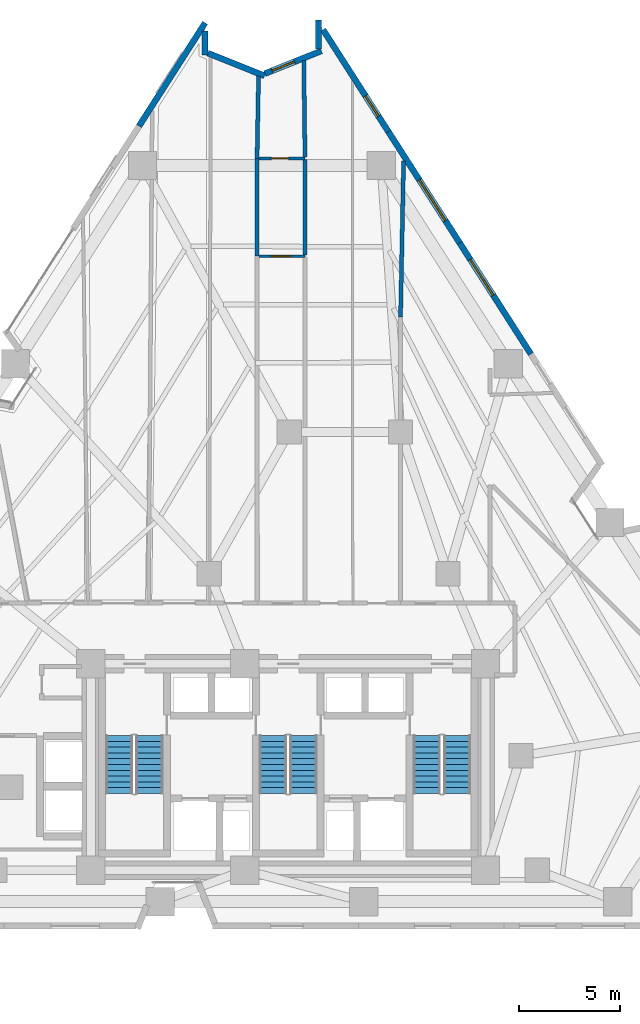
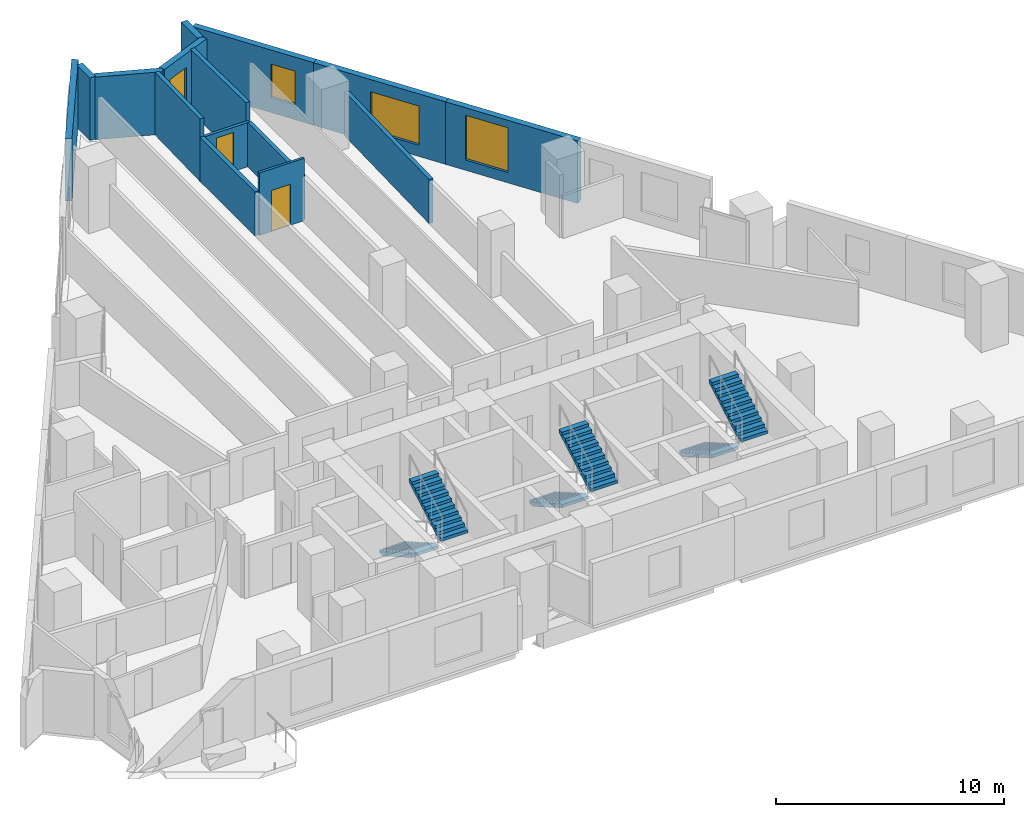
# One storey, part 11 of 15: 15 walls, 6 stair flights, 4 windows, 2 doors, 6 openings, 3 elements without a shape of their own.
"""IFC4 building model written with IfcOpenShell, lengths in metres."""

from ifc_helpers import new_model, si_unit, direction, frame, frame_2d, origin, place, context, subcontext, project, spatial, polyline, rectangle, outline, extrude, material, layer, layer_set, type_object, element, fill, aggregate, save


model = new_model("IFC4")

# Units and contexts
model_context = context("Model", 3, precision=1e-05, world=origin(), true_north=direction((0.0, 1.0)))
body_context = subcontext(model_context, "Body", "Model", "MODEL_VIEW")
ifc_project = project(units=[si_unit("LENGTHUNIT", "METRE"), si_unit("AREAUNIT", "SQUARE_METRE"), si_unit("VOLUMEUNIT", "CUBIC_METRE"), si_unit("PLANEANGLEUNIT", "RADIAN"), si_unit("MASSUNIT", "GRAM", prefix="KILO")], contexts=[model_context])

# Site, building, storey
site_placement = place(None, origin())
site = spatial("IfcSite", under=ifc_project, at=site_placement, CompositionType="ELEMENT")
building_placement = place(site_placement, origin())
building = spatial("IfcBuilding", under=site, at=building_placement, Name="Almagre Mirador Tower", CompositionType="ELEMENT")
storey_placement = place(building_placement, frame((0.0, 0.0, 39.0)))
storey = spatial("IfcBuildingStorey", under=building, at=storey_placement, Name="L08", CompositionType="ELEMENT", Elevation=39.0)

# Walls
ifc_material_1 = material(Name="Precast concrete C50/60", Category="concrete")
ifc_layer_1 = layer(ifc_material_1, 0.300048828125)
ifc_layer_set_1 = layer_set([ifc_layer_1], Name="Precast concrete C50/60")
wall_type_1 = type_object("IfcWallType", Name="WAL-EXT-300", PredefinedType="SOLIDWALL", material=ifc_layer_set_1)
wall_1_placement = place(storey_placement, frame((29.92529296875, 41.321044921875, 0.0), z_axis=(0.0, 0.0, 1.0), x_axis=(0.53953502124, 0.841963158847, 0.0)))
element("IfcWall", 1, at=wall_1_placement, inside=storey, type_object=wall_type_1, Name="L08 expressed almagre precast frame wall 04", PredefinedType="SOLIDWALL", context=body_context, shape_type="SweptSolid", body=[
    extrude(rectangle(XDim=6.05859375, YDim=0.300048828125, at=frame_2d((3.029296875, 0.0))), origin(), (0.0, 0.0, 1.0), 3.35009765625),
])
wall_2_placement = place(storey_placement, frame((33.194091796875, 46.011962890625, 0.0), z_axis=(0.0, 0.0, 1.0), x_axis=(0.0, -1.0, 0.0)))
element("IfcWall", 2, at=wall_2_placement, inside=storey, type_object=wall_type_1, Name="L08 expressed almagre precast frame wall 05", PredefinedType="SOLIDWALL", context=body_context, shape_type="SweptSolid", body=[
    extrude(rectangle(XDim=1.169921875, YDim=0.300048828125, at=frame_2d((0.5849609375, 0.0))), origin(), (0.0, 0.0, 1.0), 3.35009765625),
])
wall_3_placement = place(storey_placement, frame((33.323974609375, 44.9296875, 0.0), z_axis=(0.0, 0.0, 1.0), x_axis=(0.928091921944, -0.372351157407, 0.0)))
element("IfcWall", 3, at=wall_3_placement, inside=storey, type_object=wall_type_1, Name="L08 expressed almagre precast frame wall 06", PredefinedType="SOLIDWALL", context=body_context, shape_type="SweptSolid", body=[
    extrude(rectangle(XDim=3.023193359375, YDim=0.300048828125, at=frame_2d((1.51171875, 0.0))), origin(), (0.0, 0.0, 1.0), 3.35009765625),
])

# Wall, opening, window
wall_4_placement = place(storey_placement, frame((36.13916015625, 43.911865234375, 0.0), z_axis=(0.0, 0.0, 1.0), x_axis=(0.928057043086, 0.372438081804, 0.0)))
wall_4 = element("IfcWall", 4, at=wall_4_placement, inside=storey, type_object=wall_type_1, Name="L08 expressed almagre precast frame wall 07", PredefinedType="SOLIDWALL", context=body_context, shape_type="SweptSolid", body=[
    extrude(rectangle(XDim=3.013427734375, YDim=0.300048828125, at=frame_2d((1.5068359375, 0.0))), origin(), (0.0, 0.0, 1.0), 3.35009765625),
])
opening_1_placement = place(wall_4_placement, frame((0.385009765625, 0.0, 0.800048828125)))
opening_1 = element("IfcOpeningElement", 5, at=opening_1_placement, cuts=wall_4, Name="Opening WN-04", PredefinedType="OPENING", context=body_context, shape_type="SweptSolid", body=[
    extrude(rectangle(XDim=1.199951171875, YDim=1.800048828125, at=frame_2d((0.60009765625, 0.89990234375))), frame((0.0, 0.159902, 0.0), z_axis=(0.0, -1.0, 0.0), x_axis=(1.0, 0.0, 0.0)), (0.0, 0.0, 1.0), 0.320049),
])
ifc_material_2 = material(Name="Dark solar-control laminated hurricane glass", Category="glass")
window_type_1 = type_object("IfcWindowType", Name="WIN-1200X1800", PartitioningType="SINGLE_PANEL", PredefinedType="WINDOW", material=ifc_material_2)
window_1_placement = place(opening_1_placement, origin())
window_1 = element("IfcWindow", 6, at=window_1_placement, inside=storey, type_object=window_type_1, Name="L08 recessed hurricane window L08-UN-BT", OverallHeight=1.800048828125, OverallWidth=1.199951171875, PartitioningType="SINGLE_PANEL", PredefinedType="WINDOW", context=body_context, shape_type="SweptSolid", body=[
    extrude(rectangle(XDim=1.199951171875, YDim=1.800048828125, at=frame_2d((0.60009765625, 0.89990234375))), frame((0.0, 0.030029296875, 0.0), z_axis=(0.0, -1.0, 0.0), x_axis=(1.0, 0.0, 0.0)), (0.0, 0.0, 1.0), 0.06005859375),
])
fill(opening_1, window_1)

# Wall
wall_5_placement = place(storey_placement, frame((38.805908203125, 45.1220703125, 0.0), z_axis=(0.0, 0.0, 1.0), x_axis=(0.0, 1.0, 0.0)))
element("IfcWall", 7, at=wall_5_placement, inside=storey, type_object=wall_type_1, Name="L08 expressed almagre precast frame wall 08", PredefinedType="SOLIDWALL", context=body_context, shape_type="SweptSolid", body=[
    extrude(rectangle(XDim=1.43994140625, YDim=0.300048828125, at=frame_2d((0.719970703125, 0.0))), origin(), (0.0, 0.0, 1.0), 3.35009765625),
])

# Wall, opening, window
wall_6_placement = place(storey_placement, frame((39.0244140625, 46.0810546875, 0.0), z_axis=(0.0, 0.0, 1.0), x_axis=(0.539527381639, -0.8419680543, 0.0)))
wall_6 = element("IfcWall", 8, at=wall_6_placement, inside=storey, type_object=wall_type_1, Name="L08 expressed almagre precast frame wall 09", PredefinedType="SOLIDWALL", context=body_context, shape_type="SweptSolid", body=[
    extrude(rectangle(XDim=5.980712890625, YDim=0.300048828125, at=frame_2d((2.990234375, 0.0))), origin(), (0.0, 0.0, 1.0), 3.35009765625),
])
opening_2_placement = place(wall_6_placement, frame((3.8798828125, 0.0, 0.800048828125)))
opening_2 = element("IfcOpeningElement", 9, at=opening_2_placement, cuts=wall_6, Name="Opening WN-04", PredefinedType="OPENING", context=body_context, shape_type="SweptSolid", body=[
    extrude(rectangle(XDim=1.199951171875, YDim=1.800048828125, at=frame_2d((0.60009765625, 0.89990234375))), frame((0.0, 0.159902, 0.0), z_axis=(0.0, -1.0, 0.0), x_axis=(1.0, 0.0, 0.0)), (0.0, 0.0, 1.0), 0.320049),
])
window_2_placement = place(opening_2_placement, origin())
window_2 = element("IfcWindow", 10, at=window_2_placement, inside=storey, type_object=window_type_1, Name="L08 recessed hurricane window L08-RST-A", OverallHeight=1.800048828125, OverallWidth=1.199951171875, PartitioningType="SINGLE_PANEL", PredefinedType="WINDOW", context=body_context, shape_type="SweptSolid", body=[
    extrude(rectangle(XDim=1.199951171875, YDim=1.800048828125, at=frame_2d((0.60009765625, 0.89990234375))), frame((0.0, 0.030029296875, 0.0), z_axis=(0.0, -1.0, 0.0), x_axis=(1.0, 0.0, 0.0)), (0.0, 0.0, 1.0), 0.06005859375),
])
fill(opening_2, window_2)

wall_7_placement = place(storey_placement, frame((42.251220703125, 41.04541015625, 0.0), z_axis=(0.0, 0.0, 1.0), x_axis=(0.539526045631, -0.841968910403, 0.0)))
wall_7 = element("IfcWall", 11, at=wall_7_placement, inside=storey, type_object=wall_type_1, Name="L08 expressed almagre precast frame wall 10", PredefinedType="SOLIDWALL", context=body_context, shape_type="SweptSolid", body=[
    extrude(rectangle(XDim=6.525634765625, YDim=0.300048828125, at=frame_2d((3.2626953125, 0.0))), origin(), (0.0, 0.0, 1.0), 3.35009765625),
])
opening_3_placement = place(wall_7_placement, frame((2.824951171875, 0.0, 0.60009765625)))
opening_3 = element("IfcOpeningElement", 12, at=opening_3_placement, cuts=wall_7, Name="Opening WN-02", PredefinedType="OPENING", context=body_context, shape_type="SweptSolid", body=[
    extrude(rectangle(XDim=2.39990234375, YDim=2.10009765625, at=frame_2d((1.199951171875, 1.050048828125))), frame((0.0, 0.159902, 0.0), z_axis=(0.0, -1.0, 0.0), x_axis=(1.0, 0.0, 0.0)), (0.0, 0.0, 1.0), 0.320049),
])
ifc_material_3 = material(Name="Dark solar-control laminated hurricane glass", Category="glass")
window_type_2 = type_object("IfcWindowType", Name="WIN-2400X2100", PartitioningType="TRIPLE_PANEL_VERTICAL", PredefinedType="WINDOW", material=ifc_material_3)
window_3_placement = place(opening_3_placement, origin())
window_3 = element("IfcWindow", 13, at=window_3_placement, inside=storey, type_object=window_type_2, Name="L08 recessed hurricane window L08-UB-KT-2", OverallHeight=2.10009765625, OverallWidth=2.39990234375, PartitioningType="SINGLE_PANEL", PredefinedType="WINDOW", context=body_context, shape_type="SweptSolid", body=[
    extrude(rectangle(XDim=2.39990234375, YDim=2.10009765625, at=frame_2d((1.199951171875, 1.050048828125))), frame((0.0, 0.030029296875, 0.0), z_axis=(0.0, -1.0, 0.0), x_axis=(1.0, 0.0, 0.0)), (0.0, 0.0, 1.0), 0.06005859375),
])
fill(opening_3, window_3)

wall_8_placement = place(storey_placement, frame((45.77197265625, 35.551025390625, 0.0), z_axis=(0.0, 0.0, 1.0), x_axis=(0.539526045631, -0.841968910403, 0.0)))
wall_8 = element("IfcWall", 14, at=wall_8_placement, inside=storey, type_object=wall_type_1, Name="L08 expressed almagre precast frame wall 11", PredefinedType="SOLIDWALL", context=body_context, shape_type="SweptSolid", body=[
    extrude(rectangle(XDim=6.525634765625, YDim=0.300048828125, at=frame_2d((3.2626953125, 0.0))), origin(), (0.0, 0.0, 1.0), 3.35009765625),
])
opening_4_placement = place(wall_8_placement, frame((0.97509765625, 0.0, 0.550048828125)))
opening_4 = element("IfcOpeningElement", 15, at=opening_4_placement, cuts=wall_8, Name="Opening WN-05", PredefinedType="OPENING", context=body_context, shape_type="SweptSolid", body=[
    extrude(rectangle(XDim=2.10009765625, YDim=2.39990234375, at=frame_2d((1.050048828125, 1.199951171875))), frame((0.0, 0.159902, 0.0), z_axis=(0.0, -1.0, 0.0), x_axis=(1.0, 0.0, 0.0)), (0.0, 0.0, 1.0), 0.320049),
])
ifc_material_4 = material(Name="Dark solar-control laminated hurricane glass", Category="glass")
window_type_3 = type_object("IfcWindowType", Name="WIN-2100X2400", PartitioningType="DOUBLE_PANEL_VERTICAL", PredefinedType="WINDOW", material=ifc_material_4)
window_4_placement = place(opening_4_placement, origin())
window_4 = element("IfcWindow", 16, at=window_4_placement, inside=storey, type_object=window_type_3, Name="L08 recessed hurricane window L08-UB-BT-2", OverallHeight=2.39990234375, OverallWidth=2.10009765625, PartitioningType="SINGLE_PANEL", PredefinedType="WINDOW", context=body_context, shape_type="SweptSolid", body=[
    extrude(rectangle(XDim=2.10009765625, YDim=2.39990234375, at=frame_2d((1.050048828125, 1.199951171875))), frame((0.0, 0.030029296875, 0.0), z_axis=(0.0, -1.0, 0.0), x_axis=(1.0, 0.0, 0.0)), (0.0, 0.0, 1.0), 0.06005859375),
])
fill(opening_4, window_4)

# Wall, opening, door
ifc_material_5 = material(Name="Gypsum acoustic stud partition", Category="other")
ifc_layer_2 = layer(ifc_material_5, 0.125)
ifc_layer_set_2 = layer_set([ifc_layer_2], Name="Gypsum acoustic stud partition")
wall_type_2 = type_object("IfcWallType", Name="WAL-PRT-125-UTL", PredefinedType="PARTITIONING", material=ifc_layer_set_2)
wall_9_placement = place(storey_placement, frame((38.1298828125, 34.89990234375, 0.0), z_axis=(0.0, 0.0, 1.0), x_axis=(-1.0, 0.0, 0.0)))
wall_9 = element("IfcWall", 17, at=wall_9_placement, inside=storey, type_object=wall_type_2, Name="L08 interior partition 056", PredefinedType="PARTITIONING", context=body_context, shape_type="SweptSolid", body=[
    extrude(rectangle(XDim=2.284912109375, YDim=0.125, at=frame_2d((1.142578125, 0.0))), origin(), (0.0, 0.0, 1.0), 3.35009765625),
])
opening_5_placement = place(wall_9_placement, frame((0.7099609375, 0.0, 0.0)))
opening_5 = element("IfcOpeningElement", 18, at=opening_5_placement, cuts=wall_9, Name="Opening UD-01", PredefinedType="OPENING", context=body_context, shape_type="SweptSolid", body=[
    extrude(rectangle(XDim=0.949951171875, YDim=2.199951171875, at=frame_2d((0.47509765625, 1.10009765625))), frame((0.0, 0.0725, 0.0), z_axis=(0.0, -1.0, 0.0), x_axis=(1.0, 0.0, 0.0)), (0.0, 0.0, 1.0), 0.145),
])
ifc_material_6 = material(Name="Solid American walnut timber", Category="wood")
door_type_1 = type_object("IfcDoorType", Name="DOR-UNR-950X2200", OperationType="NOTDEFINED", PredefinedType="DOOR", material=ifc_material_6)
door_1_placement = place(opening_5_placement, origin())
door_1 = element("IfcDoor", 19, at=door_1_placement, inside=storey, type_object=door_type_1, Name="DR-0259 L08 interior door L08-UN-ST to L08-UN-KT", OperationType="SINGLE_SWING_RIGHT", OverallHeight=2.199951171875, OverallWidth=0.949951171875, PredefinedType="DOOR", context=body_context, shape_type="SweptSolid", body=[
    extrude(rectangle(XDim=0.949951171875, YDim=2.199951171875, at=frame_2d((0.47509765625, 1.10009765625))), frame((0.0, 0.02490234375, 0.0), z_axis=(0.0, -1.0, 0.0), x_axis=(1.0, 0.0, 0.0)), (0.0, 0.0, 1.0), 0.050048828125),
])
fill(opening_5, door_1)

ifc_material_7 = material(Name="Gypsum acoustic stud partition", Category="other")
ifc_layer_3 = layer(ifc_material_7, 0.14990234375)
ifc_layer_set_3 = layer_set([ifc_layer_3], Name="Gypsum acoustic stud partition")
wall_type_3 = type_object("IfcWallType", Name="WAL-PRT-150-STD", PredefinedType="PARTITIONING", material=ifc_layer_set_3)
wall_10_placement = place(storey_placement, frame((38.1298828125, 39.719970703125, 0.0), z_axis=(0.0, 0.0, 1.0), x_axis=(-1.0, 0.0, 0.0)))
wall_10 = element("IfcWall", 20, at=wall_10_placement, inside=storey, type_object=wall_type_3, Name="L08 interior partition 059", PredefinedType="PARTITIONING", context=body_context, shape_type="SweptSolid", body=[
    extrude(rectangle(XDim=2.284912109375, YDim=0.14990234375, at=frame_2d((1.142578125, 0.0))), origin(), (0.0, 0.0, 1.0), 2.3701171875),
])
opening_6_placement = place(wall_10_placement, frame((0.81640625, 0.0, 0.0)))
opening_6 = element("IfcOpeningElement", 21, at=opening_6_placement, cuts=wall_10, Name="Opening UD-04", PredefinedType="OPENING", context=body_context, shape_type="SweptSolid", body=[
    extrude(rectangle(XDim=0.85009765625, YDim=2.10009765625, at=frame_2d((0.425048828125, 1.050048828125))), frame((0.0, 0.084951, 0.0), z_axis=(0.0, -1.0, 0.0), x_axis=(1.0, 0.0, 0.0)), (0.0, 0.0, 1.0), 0.169902),
])
ifc_material_8 = material(Name="Moisture-resistant oak timber", Category="wood")
door_type_2 = type_object("IfcDoorType", Name="DOR-UNR-850X2100", OperationType="NOTDEFINED", PredefinedType="DOOR", material=ifc_material_8)
door_2_placement = place(opening_6_placement, origin())
door_2 = element("IfcDoor", 22, at=door_2_placement, inside=storey, type_object=door_type_2, Name="DR-0260 L08 interior door L08-UN-KT to L08-UN-BT", OperationType="SINGLE_SWING_LEFT", OverallHeight=2.10009765625, OverallWidth=0.85009765625, PredefinedType="DOOR", context=body_context, shape_type="SweptSolid", body=[
    extrude(rectangle(XDim=0.85009765625, YDim=2.10009765625, at=frame_2d((0.425048828125, 1.050048828125))), frame((0.0, 0.02490234375, 0.0), z_axis=(0.0, -1.0, 0.0), x_axis=(1.0, 0.0, 0.0)), (0.0, 0.0, 1.0), 0.050048828125),
])
fill(opening_6, door_2)

# Walls
ifc_material_9 = material(Name="Gypsum acoustic stud partition", Category="other")
ifc_layer_4 = layer(ifc_material_9, 0.199951171875)
ifc_layer_set_4 = layer_set([ifc_layer_4], Name="Gypsum acoustic stud partition")
wall_type_4 = type_object("IfcWallType", Name="WAL-PRT-200-EI60", PredefinedType="PARTITIONING", material=ifc_layer_set_4)
wall_11_placement = place(storey_placement, frame((35.760009765625, 34.89990234375, 0.0), z_axis=(0.0, 0.0, 1.0), x_axis=(0.0, 1.0, 0.0)))
element("IfcWall", 23, at=wall_11_placement, inside=storey, type_object=wall_type_4, Name="L08 interior partition 054", PredefinedType="PARTITIONING", context=body_context, shape_type="SweptSolid", body=[
    extrude(rectangle(XDim=4.820068359375, YDim=0.199951171875, at=frame_2d((2.41015625, 0.0))), origin(), (0.0, 0.0, 1.0), 2.3701171875),
])
wall_12_placement = place(storey_placement, frame((35.760009765625, 39.719970703125, 0.0), z_axis=(0.0, 0.0, 1.0), x_axis=(0.018136384294, 0.999835522256, 0.0)))
element("IfcWall", 24, at=wall_12_placement, inside=storey, type_object=wall_type_4, Name="L08 interior partition 055", PredefinedType="PARTITIONING", context=body_context, shape_type="SweptSolid", body=[
    extrude(rectangle(XDim=4.078857421875, YDim=0.199951171875, at=frame_2d((2.03955078125, 0.0))), origin(), (0.0, 0.0, 1.0), 3.35009765625),
])
wall_13_placement = place(storey_placement, frame((38.1298828125, 34.947509765625, 0.0), z_axis=(0.0, 0.0, 1.0), x_axis=(0.0, 1.0, 0.0)))
element("IfcWall", 25, at=wall_13_placement, inside=storey, type_object=wall_type_4, Name="L08 interior partition 060", PredefinedType="PARTITIONING", context=body_context, shape_type="SweptSolid", body=[
    extrude(rectangle(XDim=4.71240234375, YDim=0.199951171875, at=frame_2d((2.356201171875, 0.0))), origin(), (0.0, 0.0, 1.0), 2.3701171875),
])
wall_14_placement = place(storey_placement, frame((38.12939453125, 39.780029296875, 0.0), z_axis=(0.0, 0.0, 1.0), x_axis=(-0.01278680862, 0.999918245421, 0.0)))
element("IfcWall", 26, at=wall_14_placement, inside=storey, type_object=wall_type_4, Name="L08 interior partition 061", PredefinedType="PARTITIONING", context=body_context, shape_type="SweptSolid", body=[
    extrude(rectangle(XDim=4.79248046875, YDim=0.199951171875, at=frame_2d((2.396240234375, 0.0))), origin(), (0.0, 0.0, 1.0), 3.35009765625),
])
wall_15_placement = place(storey_placement, frame((42.85009765625, 31.889892578125, 0.0), z_axis=(0.0, 0.0, 1.0), x_axis=(0.019600966642, 0.999807882599, 0.0)))
element("IfcWall", 27, at=wall_15_placement, inside=storey, type_object=wall_type_4, Name="L08 interior partition 064", PredefinedType="PARTITIONING", context=body_context, shape_type="SweptSolid", body=[
    extrude(rectangle(XDim=7.697509765625, YDim=0.199951171875, at=frame_2d((3.8486328125, 0.0))), origin(), (0.0, 0.0, 1.0), 2.3701171875),
])

# Stair, stair flights
ifc_material_10 = material(Name="Concrete C45/55", Category="concrete")
stair_type = type_object("IfcStairType", Name="STR-DL-3600", PredefinedType="HALF_TURN_STAIR", material=ifc_material_10)
stair_1_placement = place(storey_placement, origin())
stair_1 = element("IfcStair", 28, at=stair_1_placement, inside=storey, type_object=stair_type, Name="L08 Protected exit stair ST-1", PredefinedType="HALF_TURN_STAIR")
ifc_material_11 = material(Name="Concrete C45/55", Category="concrete")
stair_flight_type = type_object("IfcStairFlightType", Name="FLT-DL-3600", PredefinedType="STRAIGHT", material=ifc_material_11)
stair_flight_1_placement = place(storey_placement, frame((28.949951171875, 11.199951171875, 0.0), z_axis=(0.0, 0.0, 1.0), x_axis=(0.0, -1.0, 0.0)))
stair_flight_1 = element("IfcStairFlight", 29, at=stair_flight_1_placement, type_object=stair_flight_type, Name="ST-1 flight 1", NumberOfRisers=11, NumberOfTreads=10, PredefinedType="STRAIGHT", RiserHeight=0.163636364, TreadLength=0.285, context=body_context, shape_type="SweptSolid", body=[
    extrude(outline(polyline([(0.0, 0.0), (0.0, 0.16357421875), (0.284912109375, 0.16357421875), (0.284912109375, 0.327392578125), (0.570068359375, 0.327392578125), (0.570068359375, 0.490966796875), (0.85498046875, 0.490966796875), (0.85498046875, 0.654541015625), (1.139892578125, 0.654541015625), (1.139892578125, 0.818115234375), (1.425048828125, 0.818115234375), (1.425048828125, 0.98193359375), (1.7099609375, 0.98193359375), (1.7099609375, 1.1455078125), (1.9951171875, 1.1455078125), (1.9951171875, 1.30908203125), (2.280029296875, 1.30908203125), (2.280029296875, 1.47265625), (2.56494140625, 1.47265625), (2.56494140625, 1.636474609375), (2.85009765625, 1.636474609375), (2.85009765625, 1.800048828125), (2.85009765625, 1.463623046875), (0.301025390625, 0.0), (0.0, 0.0)])), frame((0.0, 0.675048828125, 0.0), z_axis=(0.0, -1.0, 0.0), x_axis=(1.0, 0.0, 0.0)), (0.0, 0.0, 1.0), 1.35009765625),
])
stair_flight_2_placement = place(storey_placement, frame((30.449951171875, 8.35009765625, 1.800048828125), z_axis=(0.0, 0.0, 1.0), x_axis=(0.0, 1.0, 0.0)))
stair_flight_2 = element("IfcStairFlight", 30, at=stair_flight_2_placement, type_object=stair_flight_type, Name="ST-1 flight 2", NumberOfRisers=11, NumberOfTreads=10, PredefinedType="STRAIGHT", RiserHeight=0.163636364, TreadLength=0.285, context=body_context, shape_type="SweptSolid", body=[
    extrude(outline(polyline([(0.0, 0.0), (0.0, 0.16357421875), (0.284912109375, 0.16357421875), (0.284912109375, 0.327392578125), (0.570068359375, 0.327392578125), (0.570068359375, 0.490966796875), (0.85498046875, 0.490966796875), (0.85498046875, 0.654541015625), (1.139892578125, 0.654541015625), (1.139892578125, 0.818115234375), (1.425048828125, 0.818115234375), (1.425048828125, 0.98193359375), (1.7099609375, 0.98193359375), (1.7099609375, 1.1455078125), (1.9951171875, 1.1455078125), (1.9951171875, 1.30908203125), (2.280029296875, 1.30908203125), (2.280029296875, 1.47265625), (2.56494140625, 1.47265625), (2.56494140625, 1.636474609375), (2.85009765625, 1.636474609375), (2.85009765625, 1.800048828125), (2.85009765625, 1.463623046875), (0.301025390625, 0.0), (0.0, 0.0)])), frame((0.0, 0.675048828125, 0.0), z_axis=(0.0, -1.0, 0.0), x_axis=(1.0, 0.0, 0.0)), (0.0, 0.0, 1.0), 1.35009765625),
])
aggregate(stair_1, [stair_flight_1, stair_flight_2])

stair_2_placement = place(storey_placement, origin())
stair_2 = element("IfcStair", 31, at=stair_2_placement, inside=storey, type_object=stair_type, Name="L08 Protected exit stair ST-2", PredefinedType="HALF_TURN_STAIR")
stair_flight_3_placement = place(storey_placement, frame((36.550048828125, 11.199951171875, 0.0), z_axis=(0.0, 0.0, 1.0), x_axis=(0.0, -1.0, 0.0)))
stair_flight_3 = element("IfcStairFlight", 32, at=stair_flight_3_placement, type_object=stair_flight_type, Name="ST-2 flight 1", NumberOfRisers=11, NumberOfTreads=10, PredefinedType="STRAIGHT", RiserHeight=0.163636364, TreadLength=0.285, context=body_context, shape_type="SweptSolid", body=[
    extrude(outline(polyline([(0.0, 0.0), (0.0, 0.16357421875), (0.284912109375, 0.16357421875), (0.284912109375, 0.327392578125), (0.570068359375, 0.327392578125), (0.570068359375, 0.490966796875), (0.85498046875, 0.490966796875), (0.85498046875, 0.654541015625), (1.139892578125, 0.654541015625), (1.139892578125, 0.818115234375), (1.425048828125, 0.818115234375), (1.425048828125, 0.98193359375), (1.7099609375, 0.98193359375), (1.7099609375, 1.1455078125), (1.9951171875, 1.1455078125), (1.9951171875, 1.30908203125), (2.280029296875, 1.30908203125), (2.280029296875, 1.47265625), (2.56494140625, 1.47265625), (2.56494140625, 1.636474609375), (2.85009765625, 1.636474609375), (2.85009765625, 1.800048828125), (2.85009765625, 1.463623046875), (0.301025390625, 0.0), (0.0, 0.0)])), frame((0.0, 0.675048828125, 0.0), z_axis=(0.0, -1.0, 0.0), x_axis=(1.0, 0.0, 0.0)), (0.0, 0.0, 1.0), 1.35009765625),
])
stair_flight_4_placement = place(storey_placement, frame((38.050048828125, 8.35009765625, 1.800048828125), z_axis=(0.0, 0.0, 1.0), x_axis=(0.0, 1.0, 0.0)))
stair_flight_4 = element("IfcStairFlight", 33, at=stair_flight_4_placement, type_object=stair_flight_type, Name="ST-2 flight 2", NumberOfRisers=11, NumberOfTreads=10, PredefinedType="STRAIGHT", RiserHeight=0.163636364, TreadLength=0.285, context=body_context, shape_type="SweptSolid", body=[
    extrude(outline(polyline([(0.0, 0.0), (0.0, 0.16357421875), (0.284912109375, 0.16357421875), (0.284912109375, 0.327392578125), (0.570068359375, 0.327392578125), (0.570068359375, 0.490966796875), (0.85498046875, 0.490966796875), (0.85498046875, 0.654541015625), (1.139892578125, 0.654541015625), (1.139892578125, 0.818115234375), (1.425048828125, 0.818115234375), (1.425048828125, 0.98193359375), (1.7099609375, 0.98193359375), (1.7099609375, 1.1455078125), (1.9951171875, 1.1455078125), (1.9951171875, 1.30908203125), (2.280029296875, 1.30908203125), (2.280029296875, 1.47265625), (2.56494140625, 1.47265625), (2.56494140625, 1.636474609375), (2.85009765625, 1.636474609375), (2.85009765625, 1.800048828125), (2.85009765625, 1.463623046875), (0.301025390625, 0.0), (0.0, 0.0)])), frame((0.0, 0.675048828125, 0.0), z_axis=(0.0, -1.0, 0.0), x_axis=(1.0, 0.0, 0.0)), (0.0, 0.0, 1.0), 1.35009765625),
])
aggregate(stair_2, [stair_flight_3, stair_flight_4])

stair_3_placement = place(storey_placement, origin())
stair_3 = element("IfcStair", 34, at=stair_3_placement, inside=storey, type_object=stair_type, Name="L08 Protected exit stair ST-3", PredefinedType="HALF_TURN_STAIR")
stair_flight_5_placement = place(storey_placement, frame((44.14990234375, 11.199951171875, 0.0), z_axis=(0.0, 0.0, 1.0), x_axis=(0.0, -1.0, 0.0)))
stair_flight_5 = element("IfcStairFlight", 35, at=stair_flight_5_placement, type_object=stair_flight_type, Name="ST-3 flight 1", NumberOfRisers=11, NumberOfTreads=10, PredefinedType="STRAIGHT", RiserHeight=0.163636364, TreadLength=0.285, context=body_context, shape_type="SweptSolid", body=[
    extrude(outline(polyline([(0.0, 0.0), (0.0, 0.16357421875), (0.284912109375, 0.16357421875), (0.284912109375, 0.327392578125), (0.570068359375, 0.327392578125), (0.570068359375, 0.490966796875), (0.85498046875, 0.490966796875), (0.85498046875, 0.654541015625), (1.139892578125, 0.654541015625), (1.139892578125, 0.818115234375), (1.425048828125, 0.818115234375), (1.425048828125, 0.98193359375), (1.7099609375, 0.98193359375), (1.7099609375, 1.1455078125), (1.9951171875, 1.1455078125), (1.9951171875, 1.30908203125), (2.280029296875, 1.30908203125), (2.280029296875, 1.47265625), (2.56494140625, 1.47265625), (2.56494140625, 1.636474609375), (2.85009765625, 1.636474609375), (2.85009765625, 1.800048828125), (2.85009765625, 1.463623046875), (0.301025390625, 0.0), (0.0, 0.0)])), frame((0.0, 0.675048828125, 0.0), z_axis=(0.0, -1.0, 0.0), x_axis=(1.0, 0.0, 0.0)), (0.0, 0.0, 1.0), 1.35009765625),
])
stair_flight_6_placement = place(storey_placement, frame((45.64990234375, 8.35009765625, 1.800048828125), z_axis=(0.0, 0.0, 1.0), x_axis=(0.0, 1.0, 0.0)))
stair_flight_6 = element("IfcStairFlight", 36, at=stair_flight_6_placement, type_object=stair_flight_type, Name="ST-3 flight 2", NumberOfRisers=11, NumberOfTreads=10, PredefinedType="STRAIGHT", RiserHeight=0.163636364, TreadLength=0.285, context=body_context, shape_type="SweptSolid", body=[
    extrude(outline(polyline([(0.0, 0.0), (0.0, 0.16357421875), (0.284912109375, 0.16357421875), (0.284912109375, 0.327392578125), (0.570068359375, 0.327392578125), (0.570068359375, 0.490966796875), (0.85498046875, 0.490966796875), (0.85498046875, 0.654541015625), (1.139892578125, 0.654541015625), (1.139892578125, 0.818115234375), (1.425048828125, 0.818115234375), (1.425048828125, 0.98193359375), (1.7099609375, 0.98193359375), (1.7099609375, 1.1455078125), (1.9951171875, 1.1455078125), (1.9951171875, 1.30908203125), (2.280029296875, 1.30908203125), (2.280029296875, 1.47265625), (2.56494140625, 1.47265625), (2.56494140625, 1.636474609375), (2.85009765625, 1.636474609375), (2.85009765625, 1.800048828125), (2.85009765625, 1.463623046875), (0.301025390625, 0.0), (0.0, 0.0)])), frame((0.0, 0.675048828125, 0.0), z_axis=(0.0, -1.0, 0.0), x_axis=(1.0, 0.0, 0.0)), (0.0, 0.0, 1.0), 1.35009765625),
])
aggregate(stair_3, [stair_flight_5, stair_flight_6])

save(model, "model.ifc")
